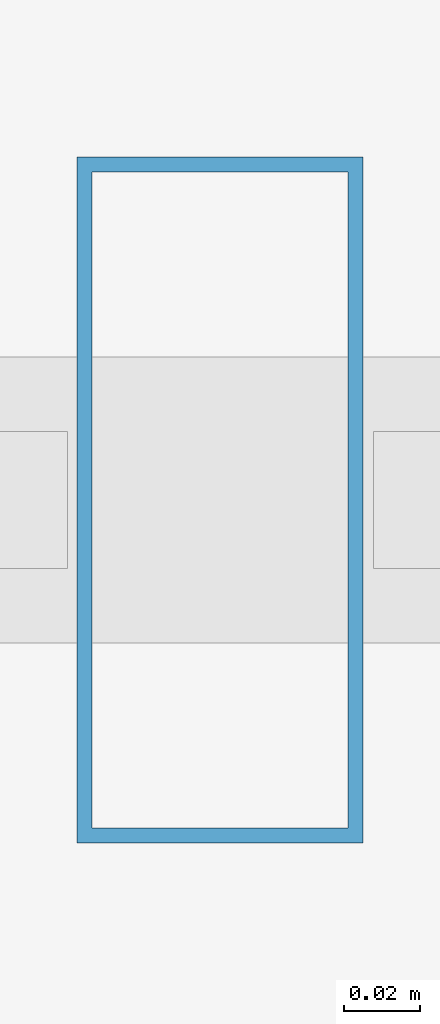
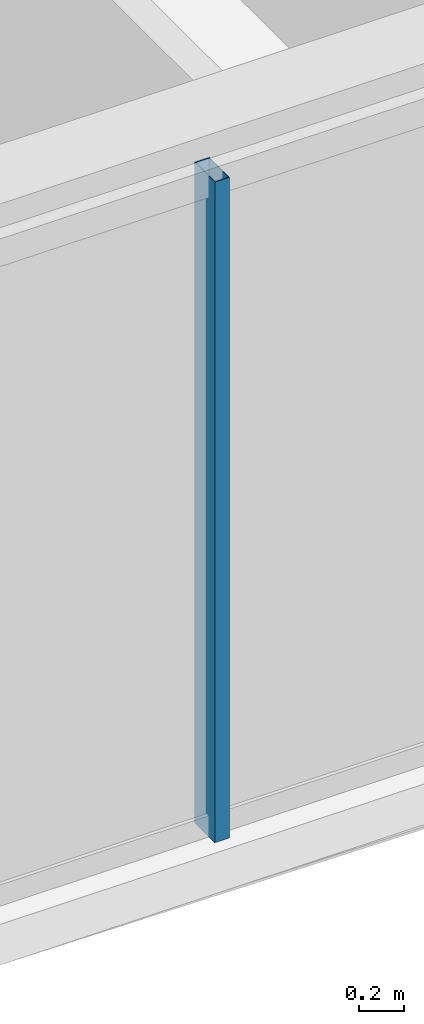
# One storey, part 5 of 34: 1 member, 1 element without a shape of its own.
"""IFC4 building model written with IfcOpenShell, lengths in metres."""

from ifc_helpers import new_model, si_unit, direction, frame, origin, origin_2d, place, context, subcontext, project, spatial, hollow_rectangle, extrude, material, layer, layer_set, material_profile, profile_set, type_object, element, aggregate, save


model = new_model("IFC4")

# Units and contexts
model_context = context("Model", 3, precision=1e-05, world=origin(), true_north=direction((0.0, 1.0)))
body_context = subcontext(model_context, "Body", "Model", "MODEL_VIEW")
ifc_project = project(units=[si_unit("LENGTHUNIT", "METRE"), si_unit("AREAUNIT", "SQUARE_METRE"), si_unit("VOLUMEUNIT", "CUBIC_METRE"), si_unit("PLANEANGLEUNIT", "RADIAN"), si_unit("MASSUNIT", "GRAM", prefix="KILO")], contexts=[model_context])

# Site, building, storey
site_placement = place(None, origin())
site = spatial("IfcSite", under=ifc_project, at=site_placement, CompositionType="ELEMENT")
building_placement = place(site_placement, origin())
building = spatial("IfcBuilding", under=site, at=building_placement, Name="Ndaravel Arena Tower", CompositionType="ELEMENT")
storey_placement = place(building_placement, frame((0.0, 0.0, 263.60009765625)))
storey = spatial("IfcBuildingStorey", under=building, at=storey_placement, Name="L64", CompositionType="ELEMENT", Elevation=263.60009765625)

# Curtain wall, member
ifc_material_1 = material(Name="Aluminium", Category="aluminium")
ifc_layer = layer(ifc_material_1, 0.179931640625)
ifc_layer_set = layer_set([ifc_layer], Name="Aluminium")
curtain_wall_type = type_object("IfcCurtainWallType", Name="CW-SYS-03", PredefinedType="NOTDEFINED", material=ifc_layer_set)
curtain_wall_placement = place(storey_placement, origin())
curtain_wall = element("IfcCurtainWall", 1, at=curtain_wall_placement, inside=storey, type_object=curtain_wall_type, Name="L64 Faceted Crystal Curtain Wall CW-L64-E01", PredefinedType="NOTDEFINED")
ifc_material_2 = material(Name="Aluminium", Category="aluminium")
ifc_material_profile = material_profile(ifc_material_2, hollow_rectangle(XDim=0.074951171875, YDim=0.179931640625, WallThickness=0.00390625, at=origin_2d()), Name="CW MULLION 75x180x4")
ifc_profile_set = profile_set([ifc_material_profile], Name="Aluminium")
member_type = type_object("IfcMemberType", Name="MEM-CW-MUL180", PredefinedType="MULLION", material=ifc_profile_set)
member_placement = place(storey_placement, frame((35.3662109375, 5.159912109375, 0.0), z_axis=(0.0, 0.0, 1.0), x_axis=(1.0, 0.0, 0.0)))
member = element("IfcMember", 2, at=member_placement, type_object=member_type, Name="CW-L64-E01 Mullion 03", PredefinedType="MULLION", context=body_context, shape_type="SweptSolid", body=[
    extrude(hollow_rectangle(XDim=0.074951171875, YDim=0.179931640625, WallThickness=0.00390625, at=origin_2d()), origin(), (0.0, 0.0, 1.0), 3.579833984375),
])
aggregate(curtain_wall, [member])

save(model, "model.ifc")
